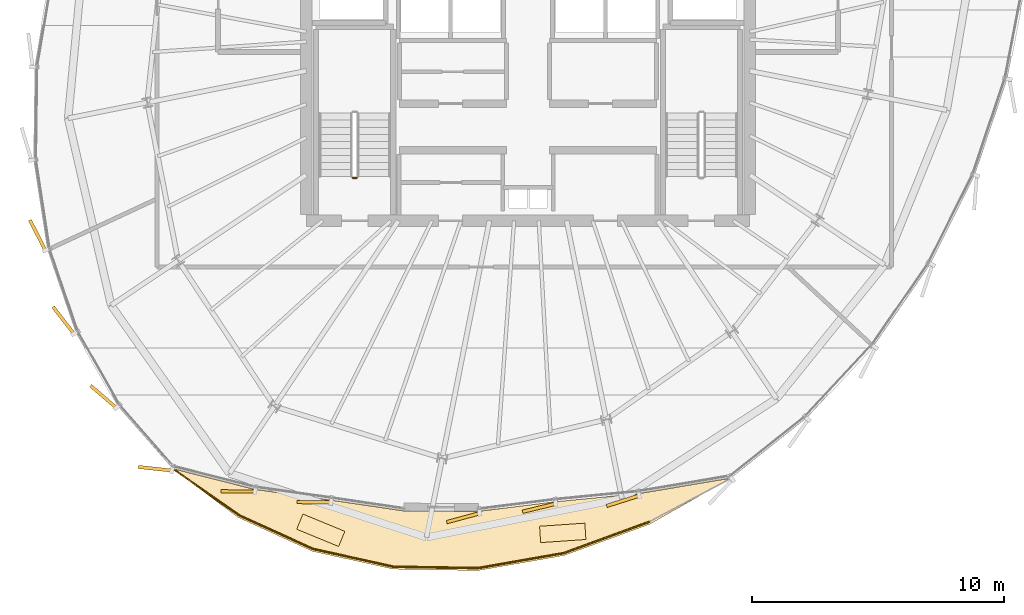
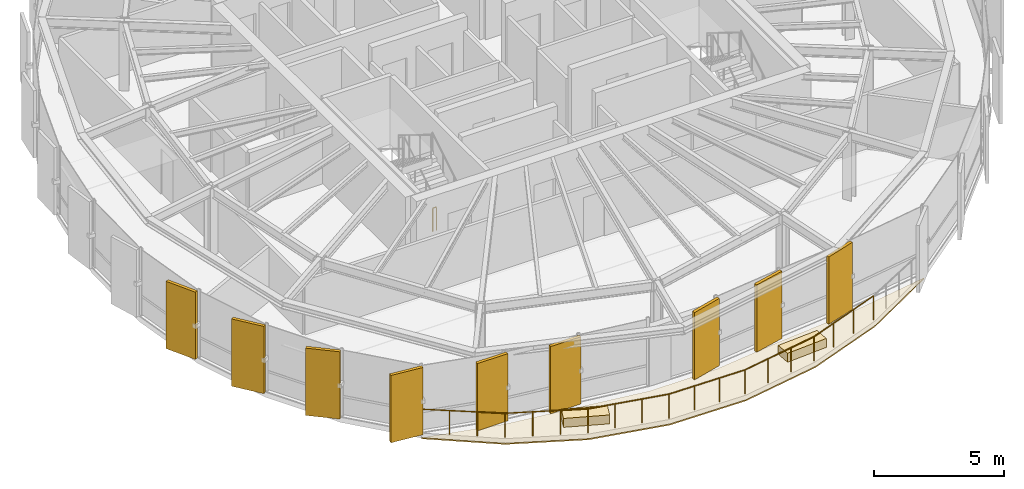
# One storey, part 29 of 32: 12 coverings, 7 railings.
"""IFC4 building model written with IfcOpenShell, lengths in metres."""

from ifc_helpers import new_model, si_unit, direction, frame, origin, origin_2d, place, context, subcontext, project, spatial, polyline, rectangle, circle, outline, extrude, source, transform, mapped, material, layer, layer_set, type_object, element, save


model = new_model("IFC4")

# Units and contexts
model_context = context("Model", 3, precision=1e-05, world=origin(), true_north=direction((0.0, 1.0)))
body_context = subcontext(model_context, "Body", "Model", "MODEL_VIEW")
ifc_project = project(units=[si_unit("LENGTHUNIT", "METRE"), si_unit("AREAUNIT", "SQUARE_METRE"), si_unit("VOLUMEUNIT", "CUBIC_METRE"), si_unit("PLANEANGLEUNIT", "RADIAN"), si_unit("MASSUNIT", "GRAM", prefix="KILO"), si_unit("THERMODYNAMICTEMPERATUREUNIT", "KELVIN")], contexts=[model_context])

# Site, building, storey
site_placement = place(None, origin())
site = spatial("IfcSite", under=ifc_project, at=site_placement, CompositionType="ELEMENT")
building_placement = place(site_placement, origin())
building = spatial("IfcBuilding", under=site, at=building_placement, Name="Kethvar Cultural Tower", CompositionType="ELEMENT")
storey_placement = place(building_placement, frame((0.0, 0.0, 273.25)))
storey = spatial("IfcBuildingStorey", under=building, at=storey_placement, Name="L72", CompositionType="ELEMENT", Elevation=273.25)

# Covering
ifc_material_1 = material(Name="Insulated Waterproofing Membrane")
ifc_layer_1 = layer(ifc_material_1, 0.06005859375, Name="Insulated Waterproofing Membrane")
ifc_layer_set_1 = layer_set([ifc_layer_1], Name="Insulated Waterproofing Membrane (60 mm)")
covering_type_1 = type_object("IfcCoveringType", Name="CV-ROOF-MEMB", PredefinedType="ROOFING", material=ifc_layer_set_1)
covering_placement = place(storey_placement, frame((0.0, 0.0, -0.27490234375)))
element("IfcCovering", 1, at=covering_placement, inside=storey, type_object=covering_type_1, Name="L72 Terrace Waterproofing", PredefinedType="ROOFING", context=body_context, shape_type="SweptSolid", body=[
    extrude(outline(polyline([(32.68505859375, 10.26025390625), (35.282470703125, 8.324951171875), (38.229736328125, 6.981201171875), (41.4375, 6.27001953125), (44.80810546875, 6.213134765625), (48.2392578125, 6.81201171875), (51.626708984375, 8.048828125), (54.867431640625, 9.885498046875), (51.197509765625, 9.267822265625), (47.88623046875, 8.945068359375), (44.832763671875, 8.56298828125), (41.869873046875, 8.580078125), (38.990478515625, 9.0048828125), (35.9404296875, 9.4375), (32.68505859375, 10.26025390625)])), origin(), (0.0, 0.0, 1.0), 0.059814453125),
])

# Railings
ifc_material_2 = material(Name="Steel S355J2", Category="steel")
railing_type_1 = type_object("IfcRailingType", Name="RL-EXT-GUARD-1150", PredefinedType="BALUSTRADE", material=ifc_material_2)
railing_1_placement = place(storey_placement, frame((32.68505859375, 10.26025390625, 0.0)))
element("IfcRailing", 2, at=railing_1_placement, inside=storey, type_object=railing_type_1, Name="L72 Spiralling Terrace Balustrade 01", PredefinedType="BALUSTRADE", context=body_context, shape_type="SweptSolid", body=[
    extrude(circle(Radius=0.02392578125, at=origin_2d()), frame((0.0, 0.0, 1.1259765625), z_axis=(0.819891814526, -0.572518482212, 0.0), x_axis=(0.572518482212, 0.819891814526, 0.0)), (0.0, 0.0, 1.0), 3.230224609375),
    extrude(circle(Radius=0.02099609375, at=origin_2d()), origin(), (0.0, 0.0, 1.0), 1.101806640625),
    extrude(circle(Radius=0.02099609375, at=origin_2d()), frame((0.8828125, -0.616455078125, 0.0)), (0.0, 0.0, 1.0), 1.101806640625),
    extrude(circle(Radius=0.02099609375, at=origin_2d()), frame((1.765625, -1.23291015625, 0.0)), (0.0, 0.0, 1.0), 1.101806640625),
    extrude(circle(Radius=0.02099609375, at=origin_2d()), frame((2.6484375, -1.849365234375, 0.0)), (0.0, 0.0, 1.0), 1.101806640625),
])
railing_2_placement = place(storey_placement, frame((35.33349609375, 8.410888671875, 0.0)))
element("IfcRailing", 3, at=railing_2_placement, inside=storey, type_object=railing_type_1, Name="L72 Spiralling Terrace Balustrade 02", PredefinedType="BALUSTRADE", context=body_context, shape_type="SweptSolid", body=[
    extrude(circle(Radius=0.02392578125, at=origin_2d()), frame((0.0, 0.0, 1.1259765625), z_axis=(0.909971951888, -0.414669804517, 0.0), x_axis=(0.414669804517, 0.909971951888, 0.0)), (0.0, 0.0, 1.0), 3.224609375),
    extrude(circle(Radius=0.02099609375, at=origin_2d()), origin(), (0.0, 0.0, 1.0), 1.101806640625),
    extrude(circle(Radius=0.02099609375, at=origin_2d()), frame((0.97802734375, -0.44580078125, 0.0)), (0.0, 0.0, 1.0), 1.101806640625),
    extrude(circle(Radius=0.02099609375, at=origin_2d()), frame((1.956298828125, -0.891357421875, 0.0)), (0.0, 0.0, 1.0), 1.101806640625),
    extrude(circle(Radius=0.02099609375, at=origin_2d()), frame((2.934326171875, -1.337158203125, 0.0)), (0.0, 0.0, 1.0), 1.101806640625),
])
railing_3_placement = place(storey_placement, frame((38.267822265625, 7.07373046875, 0.0)))
element("IfcRailing", 4, at=railing_3_placement, inside=storey, type_object=railing_type_1, Name="L72 Spiralling Terrace Balustrade 03", PredefinedType="BALUSTRADE", context=body_context, shape_type="SweptSolid", body=[
    extrude(circle(Radius=0.02392578125, at=origin_2d()), frame((0.0, 0.0, 1.1259765625), z_axis=(0.97639384065, -0.215997842443, 0.0), x_axis=(0.215997842443, 0.97639384065, 0.0)), (0.0, 0.0, 1.0), 3.27099609375),
    extrude(circle(Radius=0.02099609375, at=origin_2d()), origin(), (0.0, 0.0, 1.0), 1.101806640625),
    extrude(circle(Radius=0.02099609375, at=origin_2d()), frame((1.064697265625, -0.235595703125, 0.0)), (0.0, 0.0, 1.0), 1.101806640625),
    extrude(circle(Radius=0.02099609375, at=origin_2d()), frame((2.129150390625, -0.470947265625, 0.0)), (0.0, 0.0, 1.0), 1.101806640625),
    extrude(circle(Radius=0.02099609375, at=origin_2d()), frame((3.19384765625, -0.70654296875, 0.0)), (0.0, 0.0, 1.0), 1.101806640625),
])
railing_4_placement = place(storey_placement, frame((41.461669921875, 6.3671875, 0.0)))
element("IfcRailing", 5, at=railing_4_placement, inside=storey, type_object=railing_type_1, Name="L72 Spiralling Terrace Balustrade 04", PredefinedType="BALUSTRADE", context=body_context, shape_type="SweptSolid", body=[
    extrude(circle(Radius=0.02392578125, at=origin_2d()), frame((0.0, 0.0, 1.1259765625), z_axis=(0.999868415566, -0.016221946648, 0.0), x_axis=(0.016221946648, 0.999868415566, 0.0)), (0.0, 0.0, 1.0), 3.356201171875),
    extrude(circle(Radius=0.02099609375, at=origin_2d()), origin(), (0.0, 0.0, 1.0), 1.101806640625),
    extrude(circle(Radius=0.02099609375, at=origin_2d()), frame((1.11865234375, -0.01806640625, 0.0)), (0.0, 0.0, 1.0), 1.101806640625),
    extrude(circle(Radius=0.02099609375, at=origin_2d()), frame((2.237060546875, -0.036376953125, 0.0)), (0.0, 0.0, 1.0), 1.101806640625),
    extrude(circle(Radius=0.02099609375, at=origin_2d()), frame((3.355712890625, -0.054443359375, 0.0)), (0.0, 0.0, 1.0), 1.101806640625),
])
railing_5_placement = place(storey_placement, frame((44.8173828125, 6.312744140625, 0.0)))
element("IfcRailing", 6, at=railing_5_placement, inside=storey, type_object=railing_type_1, Name="L72 Spiralling Terrace Balustrade 05", PredefinedType="BALUSTRADE", context=body_context, shape_type="SweptSolid", body=[
    extrude(circle(Radius=0.02392578125, at=origin_2d()), frame((0.0, 0.0, 1.1259765625), z_axis=(0.984957445154, 0.172797081099, 0.0), x_axis=(-0.172797081099, 0.984957445154, 0.0)), (0.0, 0.0, 1.0), 3.46728515625),
    extrude(circle(Radius=0.02099609375, at=origin_2d()), origin(), (0.0, 0.0, 1.0), 1.101806640625),
    extrude(circle(Radius=0.02099609375, at=origin_2d()), frame((1.138427734375, 0.19970703125, 0.0)), (0.0, 0.0, 1.0), 1.101806640625),
    extrude(circle(Radius=0.02099609375, at=origin_2d()), frame((2.276611328125, 0.3994140625, 0.0)), (0.0, 0.0, 1.0), 1.101806640625),
    extrude(circle(Radius=0.02099609375, at=origin_2d()), frame((3.4150390625, 0.59912109375, 0.0)), (0.0, 0.0, 1.0), 1.101806640625),
])
railing_6_placement = place(storey_placement, frame((48.232421875, 6.911865234375, 0.0)))
element("IfcRailing", 7, at=railing_6_placement, inside=storey, type_object=railing_type_1, Name="L72 Spiralling Terrace Balustrade 06", PredefinedType="BALUSTRADE", context=body_context, shape_type="SweptSolid", body=[
    extrude(circle(Radius=0.02392578125, at=origin_2d()), frame((0.0, 0.0, 1.1259765625), z_axis=(0.939034499683, 0.343822931761, 0.0), x_axis=(-0.343822931761, 0.939034499683, 0.0)), (0.0, 0.0, 1.0), 3.58935546875),
    extrude(circle(Radius=0.02099609375, at=origin_2d()), origin(), (0.0, 0.0, 1.0), 1.101806640625),
    extrude(circle(Radius=0.02099609375, at=origin_2d()), frame((1.12353515625, 0.411376953125, 0.0)), (0.0, 0.0, 1.0), 1.101806640625),
    extrude(circle(Radius=0.02099609375, at=origin_2d()), frame((2.2470703125, 0.82275390625, 0.0)), (0.0, 0.0, 1.0), 1.101806640625),
    extrude(circle(Radius=0.02099609375, at=origin_2d()), frame((3.37060546875, 1.234130859375, 0.0)), (0.0, 0.0, 1.0), 1.101806640625),
])
railing_type_2 = type_object("IfcRailingType", Name="RL-STAIR-GUARD", PredefinedType="BALUSTRADE", material=ifc_material_2)
railing_7_placement = place(storey_placement, frame((40.0, 21.800048828125, 0.0)))
element("IfcRailing", 8, at=railing_7_placement, inside=storey, type_object=railing_type_2, Name="L72 ST-01 stair guard 4", PredefinedType="BALUSTRADE", context=body_context, shape_type="SweptSolid", body=[
    extrude(circle(Radius=0.02392578125, at=origin_2d()), frame((0.0, 0.0, 1.09619140625), z_axis=(-1.0, 0.0, 0.0), x_axis=(0.0, -1.0, 0.0)), (0.0, 0.0, 1.0), 0.159912109375),
    extrude(circle(Radius=0.02099609375, at=origin_2d()), origin(), (0.0, 0.0, 1.0), 1.072021484375),
    extrude(circle(Radius=0.02099609375, at=origin_2d()), frame((-0.159912109375, 0.0, 0.0)), (0.0, 0.0, 1.0), 1.072021484375),
])

# Coverings
ifc_material_3 = material(Name="Extruded Architectural Terracotta", Category="masonry")
ifc_layer_2 = layer(ifc_material_3, 0.419921875, Name="Extruded Architectural Terracotta", Category="masonry")
ifc_layer_set_2 = layer_set([ifc_layer_2], Name="Extruded Architectural Terracotta (420 mm)")
covering_type_2 = type_object("IfcCoveringType", Name="Terracotta Terrace Planter PLANTER-01", PredefinedType="USERDEFINED", material=ifc_layer_set_2)
shared_shape_1 = source(origin(), body_context, "Body", "SweptSolid", [
    extrude(rectangle(XDim=1.800048828125, YDim=0.64990234375, at=origin_2d()), origin(), (0.0, 0.0, 1.0), 0.419921875),
])
for number, where, z_axis, x_axis, name in (
    (9, (38.572509765625, 7.8134765625, 0.0), (0.0, 0.0, 1.0), (0.924745434851, -0.380586232965, 0.0), "L72 Sky Terrace Planter Box A"),
    (10, (48.177734375, 7.7099609375, 0.0), (0.0, 0.0, 1.0), (0.997660476238, 0.068363544026, 0.0), "L72 Sky Terrace Planter Box B"),
):
    element("IfcCovering", number, at=place(storey_placement, frame(where, z_axis=z_axis, x_axis=x_axis)), inside=storey, type_object=covering_type_2, Name=name, ObjectType="PLANTER", PredefinedType="USERDEFINED", context=body_context, shape_type="MappedRepresentation", body=[
        mapped(shared_shape_1, transform((0.0, 0.0, 0.0), scale=1.0)),
    ])
ifc_layer_3 = layer(ifc_material_3, 0.135009765625, Name="Extruded Architectural Terracotta", Category="masonry")
ifc_layer_set_3 = layer_set([ifc_layer_3], Name="Extruded Architectural Terracotta (135 mm)")
covering_type_3 = type_object("IfcCoveringType", Name="Terracotta Facade Fin FIN-03", PredefinedType="CLADDING", material=ifc_layer_set_3)
shared_shape_2 = source(origin(), body_context, "Body", "SweptSolid", [
    extrude(rectangle(XDim=1.35009765625, YDim=0.135009765625, at=origin_2d()), origin(), (0.0, 0.0, 1.0), 3.169921875),
])
for number, where, z_axis, x_axis, name in (
    (11, (27.333740234375, 19.5263671875, 0.02001953125), (0.0, 0.0, 1.0), (-0.452434709312, 0.891797529605, 0.0), "L72 Vertical Terracotta Fin 3.3"),
    (12, (28.360107421875, 16.148681640625, 0.02001953125), (0.0, 0.0, 1.0), (-0.612493245459, 0.790475821431, 0.0), "L72 Vertical Terracotta Fin 3.4"),
    (13, (29.944580078125, 13.1162109375, 0.02001953125), (0.0, 0.0, 1.0), (-0.758134336198, 0.65209840383, 0.0), "L72 Vertical Terracotta Fin 3.5"),
    (14, (31.994384765625, 10.255615234375, 0.02001953125), (0.0, 0.0, 1.0), (-0.994169798274, 0.107825841986, 0.0), "L72 Vertical Terracotta Fin 3.6"),
    (15, (35.28955078125, 9.35400390625, 0.02001953125), (0.0, 0.0, 1.0), (-0.999999253687, 0.001221730172, 0.0), "L72 Vertical Terracotta Fin 4.1"),
    (16, (38.3037109375, 8.930419921875, 0.02001953125), (0.0, 0.0, 1.0), (-0.999975630705, 0.006981260298, 0.0), "L72 Vertical Terracotta Fin 4.2"),
    (17, (44.2265625, 8.31201171875, 0.02001953125), (0.0, 0.0, 1.0), (-0.965336098699, -0.261009993198, 0.0), "L72 Vertical Terracotta Fin 5.1"),
    (18, (47.23779296875, 8.70703125, 0.02001953125), (0.0, 0.0, 1.0), (-0.972083987461, -0.234633163303, 0.0), "L72 Vertical Terracotta Fin 5.2"),
    (19, (50.567138671875, 8.985595703125, 0.02001953125), (0.0, 0.0, 1.0), (-0.953454172319, -0.301537959944, 0.0), "L72 Vertical Terracotta Fin 5.3"),
):
    element("IfcCovering", number, at=place(storey_placement, frame(where, z_axis=z_axis, x_axis=x_axis)), inside=storey, type_object=covering_type_3, Name=name, PredefinedType="CLADDING", context=body_context, shape_type="MappedRepresentation", body=[
        mapped(shared_shape_2, transform((0.0, 0.0, 0.0), scale=1.0)),
    ])

save(model, "model.ifc")
